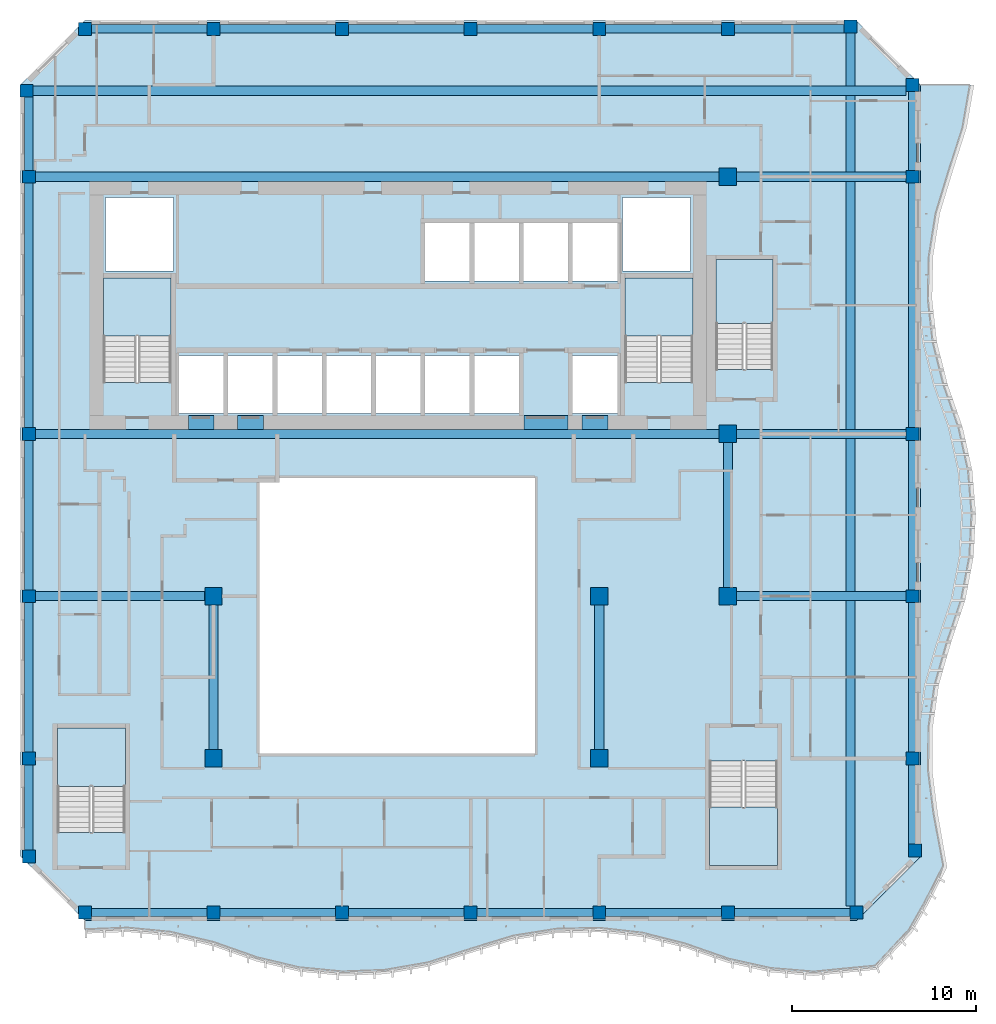
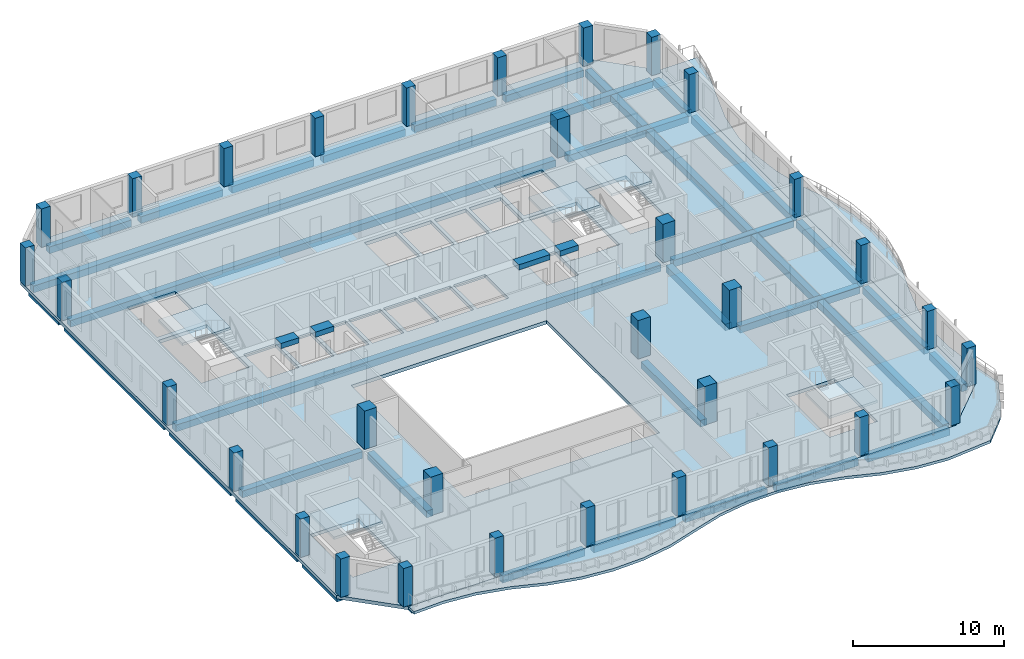
# One storey, part 1 of 20: 37 beams, 33 columns, 7 slabs, 5 elements without a shape of their own.
"""IFC4 building model written with IfcOpenShell, lengths in metres."""

from ifc_helpers import new_model, si_unit, direction, frame, origin, origin_2d, place, context, subcontext, project, spatial, polyline, rectangle, outline, extrude, source, transform, mapped, material, layer, layer_set, material_profile, profile_set, type_object, element, aggregate, save


model = new_model("IFC4")

# Units and contexts
model_context = context("Model", 3, precision=1e-05, world=origin(), true_north=direction((0.0, 1.0)))
body_context = subcontext(model_context, "Body", "Model", "MODEL_VIEW")
ifc_project = project(units=[si_unit("LENGTHUNIT", "METRE"), si_unit("AREAUNIT", "SQUARE_METRE"), si_unit("VOLUMEUNIT", "CUBIC_METRE"), si_unit("PLANEANGLEUNIT", "RADIAN"), si_unit("MASSUNIT", "GRAM", prefix="KILO")], contexts=[model_context])

# Site, building, storey
site_placement = place(None, origin())
site = spatial("IfcSite", under=ifc_project, at=site_placement, CompositionType="ELEMENT")
building_placement = place(site_placement, origin())
building = spatial("IfcBuilding", under=site, at=building_placement, Name="Kilnfold Tower and Market Hall", CompositionType="ELEMENT")
storey_placement = place(building_placement, frame((0.0, 0.0, 239.0)))
storey = spatial("IfcBuildingStorey", under=building, at=storey_placement, Name="L57", CompositionType="ELEMENT", Elevation=239.0)

# Columns
ifc_material_1 = material(Name="Concrete C60", Category="concrete")
ifc_material_profile_1 = material_profile(ifc_material_1, rectangle(XDim=0.699951171875, YDim=0.699951171875, at=origin_2d()), Name="RC 700x700")
ifc_profile_set_1 = profile_set([ifc_material_profile_1], Name="Concrete C60")
column_type_1 = type_object("IfcColumnType", Name="COLUMN 700X700 C60", PredefinedType="COLUMN", material=ifc_profile_set_1)
shared_shape_1 = source(origin(), body_context, "Body", "SweptSolid", [
    extrude(rectangle(XDim=0.699951171875, YDim=0.699951171875, at=origin_2d()), origin(), (0.0, 0.0, 1.0), 3.1201171875),
])
for number, where, z_axis, x_axis, name in (
    (1, (-19.181884765625, 26.681884765625, 0.0), (0.0, 0.0, 1.0), (1.0, 0.0, 0.0), "Column C-B7-1G"),
    (2, (-19.050048828125, -15.0, 0.0), (0.0, 0.0, 1.0), (1.0, 0.0, 0.0), "Column C-B7-1B"),
    (3, (-19.050048828125, -9.666748046875, 0.0), (0.0, 0.0, 1.0), (1.0, 0.0, 0.0), "Column C-B7-1C"),
    (4, (-19.050048828125, -0.833251953125, 0.0), (0.0, 0.0, 1.0), (1.0, 0.0, 0.0), "Column C-B7-1D"),
    (5, (-19.050048828125, 8.0, 0.0), (0.0, 0.0, 1.0), (1.0, 0.0, 0.0), "Column C-B7-1E"),
    (6, (-19.050048828125, 22.0, 0.0), (0.0, 0.0, 1.0), (1.0, 0.0, 0.0), "Column C-B7-1F"),
    (7, (-16.0, -18.050048828125, 0.0), (0.0, 0.0, 1.0), (1.0, 0.0, 0.0), "Column C-B7-2A"),
    (8, (-16.0, 30.050048828125, 0.0), (0.0, 0.0, 1.0), (1.0, 0.0, 0.0), "Column C-B7-2H"),
    (9, (-9.0, -18.050048828125, 0.0), (0.0, 0.0, 1.0), (1.0, 0.0, 0.0), "Column C-B7-3A"),
    (10, (-9.0, 30.050048828125, 0.0), (0.0, 0.0, 1.0), (1.0, 0.0, 0.0), "Column C-B7-3H"),
    (11, (-2.0, -18.050048828125, 0.0), (0.0, 0.0, 1.0), (1.0, 0.0, 0.0), "Column C-B7-4A"),
    (12, (-2.0, 30.050048828125, 0.0), (0.0, 0.0, 1.0), (1.0, 0.0, 0.0), "Column C-B7-4H"),
    (13, (5.0, -18.050048828125, 0.0), (0.0, 0.0, 1.0), (1.0, 0.0, 0.0), "Column C-B7-5A"),
    (14, (5.0, 30.050048828125, 0.0), (0.0, 0.0, 1.0), (1.0, 0.0, 0.0), "Column C-B7-5H"),
    (15, (12.0, -18.050048828125, 0.0), (0.0, 0.0, 1.0), (1.0, 0.0, 0.0), "Column C-B7-6A"),
    (16, (12.0, 30.050048828125, 0.0), (0.0, 0.0, 1.0), (1.0, 0.0, 0.0), "Column C-B7-6H"),
    (17, (19.0, -18.050048828125, 0.0), (0.0, 0.0, 1.0), (1.0, 0.0, 0.0), "Column C-B7-7A"),
    (18, (19.0, 30.050048828125, 0.0), (0.0, 0.0, 1.0), (1.0, 0.0, 0.0), "Column C-B7-7H"),
    (19, (25.681884765625, 30.181884765625, 0.0), (0.0, 0.0, 1.0), (1.0, 0.0, 0.0), "Column C-B7-8H"),
    (20, (26.0, -18.050048828125, 0.0), (0.0, 0.0, 1.0), (1.0, 0.0, 0.0), "Column C-B7-8A"),
    (21, (29.050048828125, -9.666748046875, 0.0), (0.0, 0.0, 1.0), (1.0, 0.0, 0.0), "Column C-B7-9C"),
    (22, (29.050048828125, -0.833251953125, 0.0), (0.0, 0.0, 1.0), (1.0, 0.0, 0.0), "Column C-B7-9D"),
    (23, (29.050048828125, 8.0, 0.0), (0.0, 0.0, 1.0), (1.0, 0.0, 0.0), "Column C-B7-9E"),
    (24, (29.050048828125, 22.0, 0.0), (0.0, 0.0, 1.0), (1.0, 0.0, 0.0), "Column C-B7-9F"),
    (25, (29.050048828125, 27.0, 0.0), (0.0, 0.0, 1.0), (1.0, 0.0, 0.0), "Column C-B7-9G"),
    (26, (29.181884765625, -14.681884765625, 0.0), (0.0, 0.0, 1.0), (1.0, 0.0, 0.0), "Column C-B7-9B"),
):
    element("IfcColumn", number, at=place(storey_placement, frame(where, z_axis=z_axis, x_axis=x_axis)), inside=storey, type_object=column_type_1, Name=name, PredefinedType="COLUMN", context=body_context, shape_type="MappedRepresentation", body=[
        mapped(shared_shape_1, transform((0.0, 0.0, 0.0))),
    ])
ifc_material_2 = material(Name="Concrete C60", Category="concrete")
ifc_material_profile_2 = material_profile(ifc_material_2, rectangle(XDim=0.949951171875, YDim=0.949951171875, at=origin_2d()), Name="RC 950x950")
ifc_profile_set_2 = profile_set([ifc_material_profile_2], Name="Concrete C60")
column_type_2 = type_object("IfcColumnType", Name="COLUMN 950X950 C60", PredefinedType="COLUMN", material=ifc_profile_set_2)
shared_shape_2 = source(origin(), body_context, "Body", "SweptSolid", [
    extrude(rectangle(XDim=0.949951171875, YDim=0.949951171875, at=origin_2d()), origin(), (0.0, 0.0, 1.0), 3.1201171875),
])
for number, where, z_axis, x_axis, name in (
    (27, (-9.0, -9.666748046875, 0.0), (0.0, 0.0, 1.0), (1.0, 0.0, 0.0), "Column C-B7-3C"),
    (28, (-9.0, -0.833251953125, 0.0), (0.0, 0.0, 1.0), (1.0, 0.0, 0.0), "Column C-B7-3D"),
    (29, (12.0, -9.666748046875, 0.0), (0.0, 0.0, 1.0), (1.0, 0.0, 0.0), "Column C-B7-6C"),
    (30, (12.0, -0.833251953125, 0.0), (0.0, 0.0, 1.0), (1.0, 0.0, 0.0), "Column C-B7-6D"),
    (31, (19.0, -0.833251953125, 0.0), (0.0, 0.0, 1.0), (1.0, 0.0, 0.0), "Column C-B7-7D"),
    (32, (19.0, 8.0, 0.0), (0.0, 0.0, 1.0), (1.0, 0.0, 0.0), "Column C-B7-7E"),
    (33, (19.0, 22.0, 0.0), (0.0, 0.0, 1.0), (1.0, 0.0, 0.0), "Column C-B7-7F"),
):
    element("IfcColumn", number, at=place(storey_placement, frame(where, z_axis=z_axis, x_axis=x_axis)), inside=storey, type_object=column_type_2, Name=name, PredefinedType="COLUMN", context=body_context, shape_type="MappedRepresentation", body=[
        mapped(shared_shape_2, transform((0.0, 0.0, 0.0))),
    ])

# Beams
ifc_material_3 = material(Name="Concrete C60", Category="concrete")
ifc_material_profile_3 = material_profile(ifc_material_3, rectangle(XDim=0.75, YDim=0.419921875, at=origin_2d()), Name="RC 750x420")
ifc_profile_set_3 = profile_set([ifc_material_profile_3], Name="Concrete C60")
beam_type_1 = type_object("IfcBeamType", Name="COUPLING BEAM 750X420 C60", PredefinedType="BEAM", material=ifc_profile_set_3)
shared_shape_3 = source(origin(), body_context, "Body", "SweptSolid", [
    extrude(rectangle(XDim=0.75, YDim=0.419921875, at=origin_2d()), origin(), (0.0, 0.0, 1.0), 1.400146484375),
])
beam_1_placement = place(storey_placement, frame((-10.3701171875, 8.625, 2.909912109375), z_axis=(1.0, 0.0, 0.0), x_axis=(0.0, 1.0, 0.0)))
element("IfcBeam", 34, at=beam_1_placement, inside=storey, type_object=beam_type_1, Name="Coupling beam CB420-60-CORE.34", PredefinedType="BEAM", context=body_context, shape_type="MappedRepresentation", body=[
    mapped(shared_shape_3, transform((0.0, 0.0, 0.0))),
])
shared_shape_4 = source(origin(), body_context, "Body", "SweptSolid", [
    extrude(rectangle(XDim=0.75, YDim=0.419921875, at=origin_2d()), origin(), (0.0, 0.0, 1.0), 1.39990234375),
])
for number, where, z_axis, x_axis, name in (
    (35, (-7.68994140625, 8.625, 2.909912109375), (1.0, 0.0, 0.0), (0.0, 1.0, 0.0), "Coupling beam CB420-60-CORE.35"),
    (36, (11.070068359375, 8.625, 2.909912109375), (1.0, 0.0, 0.0), (0.0, 1.0, 0.0), "Coupling beam CB420-60-CORE.37"),
):
    element("IfcBeam", number, at=place(storey_placement, frame(where, z_axis=z_axis, x_axis=x_axis)), inside=storey, type_object=beam_type_1, Name=name, PredefinedType="BEAM", context=body_context, shape_type="MappedRepresentation", body=[
        mapped(shared_shape_4, transform((0.0, 0.0, 0.0))),
    ])
shared_shape_5 = source(origin(), body_context, "Body", "SweptSolid", [
    extrude(rectangle(XDim=0.75, YDim=0.419921875, at=origin_2d()), origin(), (0.0, 0.0, 1.0), 2.400146484375),
])
beam_2_placement = place(storey_placement, frame((7.889892578125, 8.625, 2.909912109375), z_axis=(1.0, 0.0, 0.0), x_axis=(0.0, 1.0, 0.0)))
element("IfcBeam", 37, at=beam_2_placement, inside=storey, type_object=beam_type_1, Name="Coupling beam CB420-60-CORE.36", PredefinedType="BEAM", context=body_context, shape_type="MappedRepresentation", body=[
    mapped(shared_shape_5, transform((0.0, 0.0, 0.0))),
])
ifc_material_4 = material(Name="Concrete C45", Category="concrete")
ifc_material_profile_4 = material_profile(ifc_material_4, rectangle(XDim=0.449951171875, YDim=0.550048828125, at=origin_2d()), Name="RC 450x550")
ifc_profile_set_4 = profile_set([ifc_material_profile_4], Name="Concrete C45")
beam_type_2 = type_object("IfcBeamType", Name="EDGE BEAM 450X550 C45", PredefinedType="BEAM", material=ifc_profile_set_4)
shared_shape_6 = source(origin(), body_context, "Body", "SweptSolid", [
    extrude(rectangle(XDim=0.449951171875, YDim=0.550048828125, at=origin_2d()), origin(), (0.0, 0.0, 1.0), 13.2998046875),
])
for number, where, z_axis, x_axis, name in (
    (38, (-19.050048828125, 8.35009765625, -0.554931640625), (0.0, 1.0, 0.0), (-1.0, 0.0, 0.0), "Beam EB550-B7.50"),
    (39, (29.050048828125, 8.35009765625, -0.554931640625), (0.0, 1.0, 0.0), (-1.0, 0.0, 0.0), "Beam EB550-B7.58"),
):
    element("IfcBeam", number, at=place(storey_placement, frame(where, z_axis=z_axis, x_axis=x_axis)), inside=storey, type_object=beam_type_2, Name=name, PredefinedType="BEAM", context=body_context, shape_type="MappedRepresentation", body=[
        mapped(shared_shape_6, transform((0.0, 0.0, 0.0))),
    ])
shared_shape_7 = source(origin(), body_context, "Body", "SweptSolid", [
    extrude(rectangle(XDim=0.449951171875, YDim=0.550048828125, at=origin_2d()), origin(), (0.0, 0.0, 1.0), 6.2998046875),
])
for number, where, z_axis, x_axis, name in (
    (40, (-15.64990234375, -18.050048828125, -0.554931640625), (1.0, 0.0, 0.0), (0.0, 1.0, 0.0), "Beam EB550-B7.59"),
    (41, (-8.64990234375, -18.050048828125, -0.554931640625), (1.0, 0.0, 0.0), (0.0, 1.0, 0.0), "Beam EB550-B7.60"),
    (42, (-1.64990234375, -18.050048828125, -0.554931640625), (1.0, 0.0, 0.0), (0.0, 1.0, 0.0), "Beam EB550-B7.61"),
    (43, (5.35009765625, -18.050048828125, -0.554931640625), (1.0, 0.0, 0.0), (0.0, 1.0, 0.0), "Beam EB550-B7.62"),
    (44, (12.35009765625, -18.050048828125, -0.554931640625), (1.0, 0.0, 0.0), (0.0, 1.0, 0.0), "Beam EB550-B7.63"),
    (45, (19.35009765625, -18.050048828125, -0.554931640625), (1.0, 0.0, 0.0), (0.0, 1.0, 0.0), "Beam EB550-B7.64"),
    (46, (-15.64990234375, 30.050048828125, -0.554931640625), (1.0, 0.0, 0.0), (0.0, 1.0, 0.0), "Beam EB550-B7.72"),
    (47, (-8.64990234375, 30.050048828125, -0.554931640625), (1.0, 0.0, 0.0), (0.0, 1.0, 0.0), "Beam EB550-B7.73"),
    (48, (-1.64990234375, 30.050048828125, -0.554931640625), (1.0, 0.0, 0.0), (0.0, 1.0, 0.0), "Beam EB550-B7.74"),
    (49, (5.35009765625, 30.050048828125, -0.554931640625), (1.0, 0.0, 0.0), (0.0, 1.0, 0.0), "Beam EB550-B7.75"),
    (50, (12.35009765625, 30.050048828125, -0.554931640625), (1.0, 0.0, 0.0), (0.0, 1.0, 0.0), "Beam EB550-B7.76"),
):
    element("IfcBeam", number, at=place(storey_placement, frame(where, z_axis=z_axis, x_axis=x_axis)), inside=storey, type_object=beam_type_2, Name=name, PredefinedType="BEAM", context=body_context, shape_type="MappedRepresentation", body=[
        mapped(shared_shape_7, transform((0.0, 0.0, 0.0))),
    ])
ifc_material_5 = material(Name="Concrete C45", Category="concrete")
ifc_material_profile_5 = material_profile(ifc_material_5, rectangle(XDim=0.5, YDim=0.550048828125, at=origin_2d()), Name="RC 500x550")
ifc_profile_set_5 = profile_set([ifc_material_profile_5], Name="Concrete C45")
beam_type_3 = type_object("IfcBeamType", Name="BEAM 500X550 C45", PredefinedType="BEAM", material=ifc_profile_set_5)
shared_shape_8 = source(origin(), body_context, "Body", "SweptSolid", [
    extrude(rectangle(XDim=0.5, YDim=0.550048828125, at=origin_2d()), origin(), (0.0, 0.0, 1.0), 9.224853515625),
])
for number, where, z_axis, x_axis, name in (
    (51, (-18.699951171875, -0.830078125, -0.554931640625), (1.0, 0.0, 0.0), (0.0, 1.0, 0.0), "Beam BB550-B7.65"),
    (52, (19.47509765625, -0.830078125, -0.554931640625), (1.0, 0.0, 0.0), (0.0, 1.0, 0.0), "Beam BB550-B7.66"),
    (53, (19.47509765625, 8.0, -0.554931640625), (1.0, 0.0, 0.0), (0.0, 1.0, 0.0), "Beam BB550-B7.68"),
    (54, (19.47509765625, 22.0, -0.554931640625), (1.0, 0.0, 0.0), (0.0, 1.0, 0.0), "Beam BB550-B7.70"),
):
    element("IfcBeam", number, at=place(storey_placement, frame(where, z_axis=z_axis, x_axis=x_axis)), inside=storey, type_object=beam_type_3, Name=name, PredefinedType="BEAM", context=body_context, shape_type="MappedRepresentation", body=[
        mapped(shared_shape_8, transform((0.0, 0.0, 0.0))),
    ])
shared_shape_9 = source(origin(), body_context, "Body", "SweptSolid", [
    extrude(rectangle(XDim=0.5, YDim=0.550048828125, at=origin_2d()), origin(), (0.0, 0.0, 1.0), 37.224853515625),
])
for number, where, z_axis, x_axis, name in (
    (55, (-18.699951171875, 8.0, -0.554931640625), (1.0, 0.0, 0.0), (0.0, 1.0, 0.0), "Beam BB550-B7.67"),
    (56, (-18.699951171875, 22.0, -0.554931640625), (1.0, 0.0, 0.0), (0.0, 1.0, 0.0), "Beam BB550-B7.69"),
):
    element("IfcBeam", number, at=place(storey_placement, frame(where, z_axis=z_axis, x_axis=x_axis)), inside=storey, type_object=beam_type_3, Name=name, PredefinedType="BEAM", context=body_context, shape_type="MappedRepresentation", body=[
        mapped(shared_shape_9, transform((0.0, 0.0, 0.0))),
    ])
shared_shape_10 = source(origin(), body_context, "Body", "SweptSolid", [
    extrude(rectangle(XDim=0.5, YDim=0.550048828125, at=origin_2d()), origin(), (0.0, 0.0, 1.0), 47.53173828125),
])
for number, where, z_axis, x_axis, name in (
    (57, (-18.831787109375, 26.679931640625, -0.554931640625), (1.0, 0.0, 0.0), (0.0, 1.0, 0.0), "Beam BB550-B7.71"),
    (58, (25.679931640625, -17.699951171875, -0.554931640625), (0.0, 1.0, 0.0), (-1.0, 0.0, 0.0), "Beam BB550-B7.85"),
):
    element("IfcBeam", number, at=place(storey_placement, frame(where, z_axis=z_axis, x_axis=x_axis)), inside=storey, type_object=beam_type_3, Name=name, PredefinedType="BEAM", context=body_context, shape_type="MappedRepresentation", body=[
        mapped(shared_shape_10, transform((0.0, 0.0, 0.0))),
    ])
shared_shape_11 = source(origin(), body_context, "Body", "SweptSolid", [
    extrude(rectangle(XDim=0.449951171875, YDim=0.550048828125, at=origin_2d()), origin(), (0.0, 0.0, 1.0), 5.981689453125),
])
beam_3_placement = place(storey_placement, frame((19.35009765625, 30.050048828125, -0.554931640625), z_axis=(1.0, 0.0, 0.0), x_axis=(0.0, 1.0, 0.0)))
element("IfcBeam", 59, at=beam_3_placement, inside=storey, type_object=beam_type_2, Name="Beam EB550-B7.77", PredefinedType="BEAM", context=body_context, shape_type="MappedRepresentation", body=[
    mapped(shared_shape_11, transform((0.0, 0.0, 0.0))),
])
shared_shape_12 = source(origin(), body_context, "Body", "SweptSolid", [
    extrude(rectangle(XDim=0.449951171875, YDim=0.550048828125, at=origin_2d()), origin(), (0.0, 0.0, 1.0), 4.63330078125),
])
beam_4_placement = place(storey_placement, frame((-19.050048828125, -14.64990234375, -0.554931640625), z_axis=(0.0, 1.0, 0.0), x_axis=(-1.0, 0.0, 0.0)))
element("IfcBeam", 60, at=beam_4_placement, inside=storey, type_object=beam_type_2, Name="Beam EB550-B7.78", PredefinedType="BEAM", context=body_context, shape_type="MappedRepresentation", body=[
    mapped(shared_shape_12, transform((0.0, 0.0, 0.0))),
])
shared_shape_13 = source(origin(), body_context, "Body", "SweptSolid", [
    extrude(rectangle(XDim=0.449951171875, YDim=0.550048828125, at=origin_2d()), origin(), (0.0, 0.0, 1.0), 8.13330078125),
])
for number, where, z_axis, x_axis, name in (
    (61, (-19.050048828125, -9.316650390625, -0.554931640625), (0.0, 1.0, 0.0), (-1.0, 0.0, 0.0), "Beam EB550-B7.79"),
    (62, (-19.050048828125, -0.4833984375, -0.554931640625), (0.0, 1.0, 0.0), (-1.0, 0.0, 0.0), "Beam EB550-B7.80"),
    (63, (29.050048828125, -9.316650390625, -0.554931640625), (0.0, 1.0, 0.0), (-1.0, 0.0, 0.0), "Beam EB550-B7.87"),
    (64, (29.050048828125, -0.4833984375, -0.554931640625), (0.0, 1.0, 0.0), (-1.0, 0.0, 0.0), "Beam EB550-B7.88"),
):
    element("IfcBeam", number, at=place(storey_placement, frame(where, z_axis=z_axis, x_axis=x_axis)), inside=storey, type_object=beam_type_2, Name=name, PredefinedType="BEAM", context=body_context, shape_type="MappedRepresentation", body=[
        mapped(shared_shape_13, transform((0.0, 0.0, 0.0))),
    ])
shared_shape_14 = source(origin(), body_context, "Body", "SweptSolid", [
    extrude(rectangle(XDim=0.449951171875, YDim=0.550048828125, at=origin_2d()), origin(), (0.0, 0.0, 1.0), 3.981689453125),
])
beam_5_placement = place(storey_placement, frame((-19.050048828125, 22.35009765625, -0.554931640625), z_axis=(0.0, 1.0, 0.0), x_axis=(-1.0, 0.0, 0.0)))
element("IfcBeam", 65, at=beam_5_placement, inside=storey, type_object=beam_type_2, Name="Beam EB550-B7.81", PredefinedType="BEAM", context=body_context, shape_type="MappedRepresentation", body=[
    mapped(shared_shape_14, transform((0.0, 0.0, 0.0))),
])
shared_shape_15 = source(origin(), body_context, "Body", "SweptSolid", [
    extrude(rectangle(XDim=0.5, YDim=0.550048828125, at=origin_2d()), origin(), (0.0, 0.0, 1.0), 7.88330078125),
])
for number, where, z_axis, x_axis, name in (
    (66, (-9.0, -9.191650390625, -0.554931640625), (0.0, 1.0, 0.0), (-1.0, 0.0, 0.0), "Beam BB550-B7.82"),
    (67, (12.0, -9.191650390625, -0.554931640625), (0.0, 1.0, 0.0), (-1.0, 0.0, 0.0), "Beam BB550-B7.83"),
    (68, (19.0, -0.3583984375, -0.554931640625), (0.0, 1.0, 0.0), (-1.0, 0.0, 0.0), "Beam BB550-B7.84"),
):
    element("IfcBeam", number, at=place(storey_placement, frame(where, z_axis=z_axis, x_axis=x_axis)), inside=storey, type_object=beam_type_3, Name=name, PredefinedType="BEAM", context=body_context, shape_type="MappedRepresentation", body=[
        mapped(shared_shape_15, transform((0.0, 0.0, 0.0))),
    ])
shared_shape_16 = source(origin(), body_context, "Body", "SweptSolid", [
    extrude(rectangle(XDim=0.449951171875, YDim=0.550048828125, at=origin_2d()), origin(), (0.0, 0.0, 1.0), 4.315185546875),
])
beam_6_placement = place(storey_placement, frame((29.050048828125, -14.331787109375, -0.554931640625), z_axis=(0.0, 1.0, 0.0), x_axis=(-1.0, 0.0, 0.0)))
element("IfcBeam", 69, at=beam_6_placement, inside=storey, type_object=beam_type_2, Name="Beam EB550-B7.86", PredefinedType="BEAM", context=body_context, shape_type="MappedRepresentation", body=[
    mapped(shared_shape_16, transform((0.0, 0.0, 0.0))),
])
shared_shape_17 = source(origin(), body_context, "Body", "SweptSolid", [
    extrude(rectangle(XDim=0.449951171875, YDim=0.550048828125, at=origin_2d()), origin(), (0.0, 0.0, 1.0), 4.2998046875),
])
beam_7_placement = place(storey_placement, frame((29.050048828125, 22.35009765625, -0.554931640625), z_axis=(0.0, 1.0, 0.0), x_axis=(-1.0, 0.0, 0.0)))
element("IfcBeam", 70, at=beam_7_placement, inside=storey, type_object=beam_type_2, Name="Beam EB550-B7.89", PredefinedType="BEAM", context=body_context, shape_type="MappedRepresentation", body=[
    mapped(shared_shape_17, transform((0.0, 0.0, 0.0))),
])

# Slabs
ifc_material_6 = material(Name="Concrete C45", Category="concrete")
ifc_layer_1 = layer(ifc_material_6, 0.280029296875)
ifc_layer_set_1 = layer_set([ifc_layer_1], Name="Concrete C45")
slab_type_1 = type_object("IfcSlabType", Name="FLOOR SLAB 280", PredefinedType="FLOOR", material=ifc_layer_set_1)
shared_shape_18 = source(origin(), body_context, "Body", "SweptSolid", [
    extrude(outline(polyline([(-16.0, -18.5), (26.0, -18.5), (29.5, -15.0), (29.5, 27.0), (26.0, 30.5), (-16.0, 30.5), (-19.5, 27.0), (-19.5, -15.0), (-16.0, -18.5)]), holes=[polyline([(-13.800537109375, -13.699462890625), (-17.49951171875, -13.699462890625), (-17.49951171875, -8.00048828125), (-13.800537109375, -8.00048828125), (-13.800537109375, -13.699462890625)]), polyline([(-11.300537109375, 10.800537109375), (-14.99951171875, 10.800537109375), (-14.99951171875, 16.49951171875), (-11.300537109375, 16.49951171875), (-11.300537109375, 10.800537109375)]), polyline([(-14.875, 16.875), (-14.875, 20.875), (-11.175048828125, 20.875), (-11.175048828125, 16.875), (-14.875, 16.875)]), polyline([(-8.455078125, 9.125), (-10.885009765625, 9.125), (-10.885009765625, 12.27490234375), (-8.455078125, 12.27490234375), (-8.455078125, 9.125)]), polyline([(-8.205078125, 9.125), (-8.205078125, 12.27490234375), (-5.77490234375, 12.27490234375), (-5.77490234375, 9.125), (-8.205078125, 9.125)]), polyline([(8.5, -9.39990234375), (-6.5, -9.39990234375), (-6.5, 5.60009765625), (8.5, 5.60009765625), (8.5, -9.39990234375)]), polyline([(-5.52490234375, 9.125), (-5.52490234375, 12.27490234375), (-3.094970703125, 12.27490234375), (-3.094970703125, 9.125), (-5.52490234375, 9.125)]), polyline([(-0.4150390625, 9.125), (-2.844970703125, 9.125), (-2.844970703125, 12.27490234375), (-0.4150390625, 12.27490234375), (-0.4150390625, 9.125)]), polyline([(2.264892578125, 9.125), (-0.1650390625, 9.125), (-0.1650390625, 12.27490234375), (2.264892578125, 12.27490234375), (2.264892578125, 9.125)]), polyline([(4.945068359375, 9.125), (2.514892578125, 9.125), (2.514892578125, 12.27490234375), (4.945068359375, 12.27490234375), (4.945068359375, 9.125)]), polyline([(2.514892578125, 16.324951171875), (2.514892578125, 19.47509765625), (4.945068359375, 19.47509765625), (4.945068359375, 16.324951171875), (2.514892578125, 16.324951171875)]), polyline([(7.625, 9.125), (5.195068359375, 9.125), (5.195068359375, 12.27490234375), (7.625, 12.27490234375), (7.625, 9.125)]), polyline([(7.625, 16.324951171875), (5.195068359375, 16.324951171875), (5.195068359375, 19.47509765625), (7.625, 19.47509765625), (7.625, 16.324951171875)]), polyline([(10.304931640625, 16.324951171875), (7.875, 16.324951171875), (7.875, 19.47509765625), (10.304931640625, 19.47509765625), (10.304931640625, 16.324951171875)]), polyline([(10.554931640625, 9.125), (10.554931640625, 12.27490234375), (12.985107421875, 12.27490234375), (12.985107421875, 9.125), (10.554931640625, 9.125)]), polyline([(10.554931640625, 16.324951171875), (10.554931640625, 19.47509765625), (12.985107421875, 19.47509765625), (12.985107421875, 16.324951171875), (10.554931640625, 16.324951171875)]), polyline([(13.27490234375, 16.875), (13.27490234375, 20.875), (16.97509765625, 20.875), (16.97509765625, 16.875), (13.27490234375, 16.875)]), polyline([(13.400390625, 10.800537109375), (13.400390625, 16.49951171875), (17.099609375, 16.49951171875), (17.099609375, 10.800537109375), (13.400390625, 10.800537109375)]), polyline([(18.00048828125, -9.800537109375), (21.699462890625, -9.800537109375), (21.699462890625, -15.49951171875), (18.00048828125, -15.49951171875), (18.00048828125, -9.800537109375)]), polyline([(21.449462890625, 11.50048828125), (18.3505859375, 11.50048828125), (18.3505859375, 17.49951171875), (21.449462890625, 17.49951171875), (21.449462890625, 11.50048828125)])]), origin(), (0.0, 0.0, 1.0), 0.280029296875),
])
slab_1_placement = place(storey_placement, frame((0.0, 0.0, -0.280029296875)))
element("IfcSlab", 71, at=slab_1_placement, inside=storey, type_object=slab_type_1, Name="Floor slab L57", PredefinedType="FLOOR", context=body_context, shape_type="MappedRepresentation", body=[
    mapped(shared_shape_18, transform((0.0, 0.0, 0.0))),
])
ifc_material_7 = material(Name="Concrete C40/50", Category="concrete")
ifc_layer_2 = layer(ifc_material_7, 0.219970703125)
ifc_layer_set_2 = layer_set([ifc_layer_2], Name="Concrete C40/50")
slab_type_2 = type_object("IfcSlabType", Name="BALCONY SLAB 220", PredefinedType="FLOOR", material=ifc_layer_set_2)
shared_shape_19 = source(origin(), body_context, "Body", "SweptSolid", [
    extrude(outline(polyline([(-16.0, -18.5), (26.0, -18.5), (29.5, -15.0), (29.5, 27.0), (32.4052734375, 27.0), (31.998779296875, 24.666748046875), (31.250244140625, 22.333251953125), (30.540283203125, 20.0), (30.169921875, 17.666748046875), (30.1171875, 15.333251953125), (30.37939453125, 13.0), (30.9716796875, 10.666748046875), (31.787109375, 8.333251953125), (32.304931640625, 6.0), (32.498046875, 3.666748046875), (32.376708984375, 1.333251953125), (31.934814453125, -1.0), (31.156005859375, -3.333251953125), (30.484375, -5.666748046875), (30.14892578125, -8.0), (30.13037109375, -10.333251953125), (30.42724609375, -12.666748046875), (30.9384765625, -15.595703125), (29.856201171875, -17.689697265625), (29.0048828125, -19.17138671875), (27.10107421875, -21.158203125), (23.666748046875, -21.497802734375), (21.333251953125, -21.304443359375), (19.0, -20.785888671875), (16.666748046875, -19.97021484375), (14.333251953125, -19.378662109375), (12.0, -19.116943359375), (9.666748046875, -19.170166015625), (7.333251953125, -19.541259765625), (5.0, -20.251953125), (2.666748046875, -21.0), (0.333251953125, -21.405517578125), (-2.0, -21.4921875), (-4.333251953125, -21.264404296875), (-6.666748046875, -20.709228515625), (-9.0, -19.889404296875), (-11.333251953125, -19.3349609375), (-13.666748046875, -19.107666015625), (-16.0, -19.19482421875), (-16.0, -18.5)])), origin(), (0.0, 0.0, 1.0), 0.219970703125),
])
slab_2_placement = place(storey_placement, frame((0.0, 0.0, -0.219970703125)))
element("IfcSlab", 72, at=slab_2_placement, inside=storey, type_object=slab_type_2, Name="Balcony slab L57", PredefinedType="FLOOR", context=body_context, shape_type="MappedRepresentation", body=[
    mapped(shared_shape_19, transform((0.0, 0.0, 0.0))),
])

# Stair, slab
ifc_material_8 = material(Name="Concrete C40/50", Category="concrete")
stair_type_1 = type_object("IfcStairType", Name="CORE STAIR 1800", PredefinedType="HALF_TURN_STAIR", material=ifc_material_8)
stair_1_placement = place(storey_placement, origin())
stair_1 = element("IfcStair", 73, at=stair_1_placement, inside=storey, type_object=stair_type_1, Name="L57 ST1", PredefinedType="HALF_TURN_STAIR")
ifc_material_9 = material(Name="Concrete C40/50", Category="concrete")
ifc_layer_3 = layer(ifc_material_9, 0.199951171875)
ifc_layer_set_3 = layer_set([ifc_layer_3], Name="Concrete C40/50")
slab_type_3 = type_object("IfcSlabType", Name="CORE STAIR LANDING 200", PredefinedType="LANDING", material=ifc_layer_set_3)
shared_shape_20 = source(origin(), body_context, "Body", "SweptSolid", [
    extrude(outline(polyline([(-11.300048828125, 13.320068359375), (-11.300048828125, 16.5), (-15.0, 16.5), (-15.0, 13.320068359375), (-11.300048828125, 13.320068359375)])), origin(), (0.0, 0.0, 1.0), 0.199951171875),
])
slab_3_placement = place(storey_placement, frame((0.0, 0.0, 1.5)))
slab_3 = element("IfcSlab", 74, at=slab_3_placement, type_object=slab_type_3, Name="ST1 landing 1", PredefinedType="LANDING", context=body_context, shape_type="MappedRepresentation", body=[
    mapped(shared_shape_20, transform((0.0, 0.0, 0.0))),
])
aggregate(stair_1, [slab_3])

stair_2_placement = place(storey_placement, origin())
stair_2 = element("IfcStair", 75, at=stair_2_placement, inside=storey, type_object=stair_type_1, Name="L57 ST2", PredefinedType="HALF_TURN_STAIR")
shared_shape_21 = source(origin(), body_context, "Body", "SweptSolid", [
    extrude(outline(polyline([(17.10009765625, 13.320068359375), (17.10009765625, 16.5), (13.39990234375, 16.5), (13.39990234375, 13.320068359375), (17.10009765625, 13.320068359375)])), origin(), (0.0, 0.0, 1.0), 0.199951171875),
])
slab_4_placement = place(storey_placement, frame((0.0, 0.0, 1.5)))
slab_4 = element("IfcSlab", 76, at=slab_4_placement, type_object=slab_type_3, Name="ST2 landing 1", PredefinedType="LANDING", context=body_context, shape_type="MappedRepresentation", body=[
    mapped(shared_shape_21, transform((0.0, 0.0, 0.0))),
])
aggregate(stair_2, [slab_4])

stair_3_placement = place(storey_placement, origin())
stair_3 = element("IfcStair", 77, at=stair_3_placement, inside=storey, type_object=stair_type_1, Name="L57 ST3", PredefinedType="HALF_TURN_STAIR")
shared_shape_22 = source(origin(), body_context, "Body", "SweptSolid", [
    extrude(outline(polyline([(-13.800048828125, -11.179931640625), (-13.800048828125, -8.0), (-17.5, -8.0), (-17.5, -11.179931640625), (-13.800048828125, -11.179931640625)])), origin(), (0.0, 0.0, 1.0), 0.199951171875),
])
slab_5_placement = place(storey_placement, frame((0.0, 0.0, 1.5)))
slab_5 = element("IfcSlab", 78, at=slab_5_placement, type_object=slab_type_3, Name="ST3 landing 1", PredefinedType="LANDING", context=body_context, shape_type="MappedRepresentation", body=[
    mapped(shared_shape_22, transform((0.0, 0.0, 0.0))),
])
aggregate(stair_3, [slab_5])

stair_4_placement = place(storey_placement, origin())
stair_4 = element("IfcStair", 79, at=stair_4_placement, inside=storey, type_object=stair_type_1, Name="L57 ST4", PredefinedType="HALF_TURN_STAIR")
shared_shape_23 = source(origin(), body_context, "Body", "SweptSolid", [
    extrude(outline(polyline([(18.0, -12.320068359375), (18.0, -15.5), (21.699951171875, -15.5), (21.699951171875, -12.320068359375), (18.0, -12.320068359375)])), origin(), (0.0, 0.0, 1.0), 0.199951171875),
])
slab_6_placement = place(storey_placement, frame((0.0, 0.0, 1.5)))
slab_6 = element("IfcSlab", 80, at=slab_6_placement, type_object=slab_type_3, Name="ST4 landing 1", PredefinedType="LANDING", context=body_context, shape_type="MappedRepresentation", body=[
    mapped(shared_shape_23, transform((0.0, 0.0, 0.0))),
])
aggregate(stair_4, [slab_6])

ifc_material_10 = material(Name="Concrete C40/50", Category="concrete")
stair_type_2 = type_object("IfcStairType", Name="CORE STAIR 1500", PredefinedType="HALF_TURN_STAIR", material=ifc_material_10)
stair_5_placement = place(storey_placement, origin())
stair_5 = element("IfcStair", 81, at=stair_5_placement, inside=storey, type_object=stair_type_2, Name="L57 ST5", PredefinedType="HALF_TURN_STAIR")
shared_shape_24 = source(origin(), body_context, "Body", "SweptSolid", [
    extrude(outline(polyline([(21.449951171875, 14.02001953125), (21.449951171875, 17.5), (18.35009765625, 17.5), (18.35009765625, 14.02001953125), (21.449951171875, 14.02001953125)])), origin(), (0.0, 0.0, 1.0), 0.199951171875),
])
slab_7_placement = place(storey_placement, frame((0.0, 0.0, 1.5)))
slab_7 = element("IfcSlab", 82, at=slab_7_placement, type_object=slab_type_3, Name="ST5 landing 1", PredefinedType="LANDING", context=body_context, shape_type="MappedRepresentation", body=[
    mapped(shared_shape_24, transform((0.0, 0.0, 0.0))),
])
aggregate(stair_5, [slab_7])

save(model, "model.ifc")
